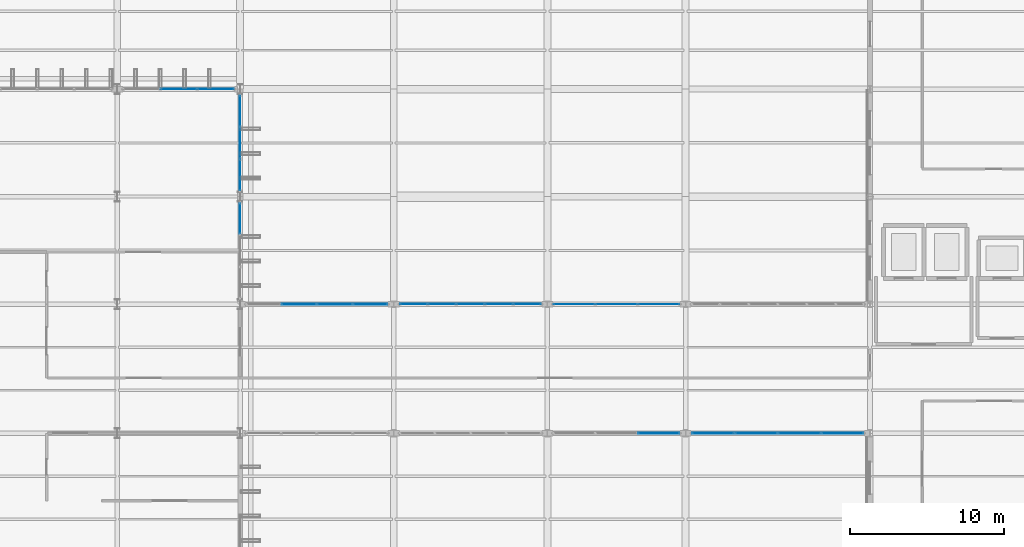
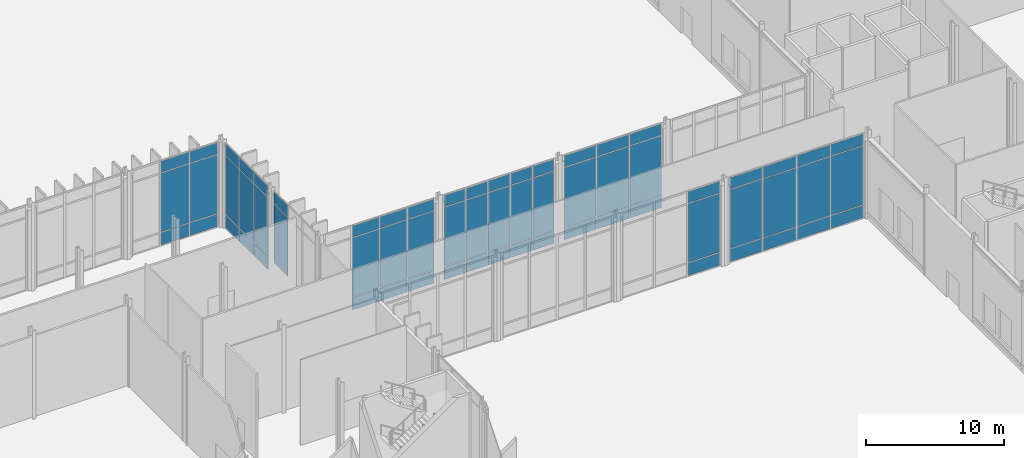
# One storey, part 124 of 176: 65 plates, 8 elements without a shape of their own.
"""IFC4 building model written with IfcOpenShell, lengths in metres."""

from ifc_helpers import new_model, si_unit, direction, frame, origin, origin_2d, place, context, subcontext, project, spatial, rectangle, extrude, material, layer, layer_set, type_object, element, aggregate, save


model = new_model("IFC4")

# Units and contexts
model_context = context("Model", 3, precision=1e-05, world=origin(), true_north=direction((0.0, 1.0)))
body_context = subcontext(model_context, "Body", "Model", "MODEL_VIEW")
ifc_project = project(units=[si_unit("LENGTHUNIT", "METRE"), si_unit("AREAUNIT", "SQUARE_METRE"), si_unit("VOLUMEUNIT", "CUBIC_METRE"), si_unit("PLANEANGLEUNIT", "RADIAN"), si_unit("MASSUNIT", "GRAM", prefix="KILO")], contexts=[model_context])

# Site, building, storey
site_placement = place(None, origin())
site = spatial("IfcSite", under=ifc_project, at=site_placement, CompositionType="ELEMENT")
building_placement = place(site_placement, origin())
building = spatial("IfcBuilding", under=site, at=building_placement, Name="Vekula Escarpment Museum", CompositionType="ELEMENT")
storey_placement = place(building_placement, origin())
storey = spatial("IfcBuildingStorey", under=building, at=storey_placement, Name="L01", CompositionType="ELEMENT", Elevation=0.0)

# Curtain wall, plates
ifc_material_1 = material(Name="Aluminium thermally broken framing", Category="aluminium")
ifc_layer_1 = layer(ifc_material_1, 0.169921875)
ifc_layer_set_1 = layer_set([ifc_layer_1], Name="Aluminium thermally broken framing")
curtain_wall_type_1 = type_object("IfcCurtainWallType", Name="CW-SYS-10", PredefinedType="NOTDEFINED", material=ifc_layer_set_1)
curtain_wall_1_placement = place(storey_placement, origin())
curtain_wall_1 = element("IfcCurtainWall", 1, at=curtain_wall_1_placement, inside=storey, type_object=curtain_wall_type_1, Name="Curtain Wall CW-L01-020", PredefinedType="NOTDEFINED")
ifc_material_2 = material(Name="Double solar-control low-E glass", Category="glass")
ifc_layer_2 = layer(ifc_material_2, 0.028076171875)
ifc_layer_set_2 = layer_set([ifc_layer_2], Name="Double solar-control low-E glass")
plate_type_1 = type_object("IfcPlateType", Name="CW-PNL-28", PredefinedType="CURTAIN_PANEL", material=ifc_layer_set_2)
plate_1_placement = place(storey_placement, frame((153.24365234375, 76.39990234375, 0.06494140625), z_axis=(0.0, 0.0, 1.0), x_axis=(-1.0, 0.0, 0.0)))
plate_1 = element("IfcPlate", 2, at=plate_1_placement, type_object=plate_type_1, Name="CW-10 panel 1.1", PredefinedType="CURTAIN_PANEL", context=body_context, shape_type="SweptSolid", body=[
    extrude(rectangle(XDim=2.66259765625, YDim=0.028076171875, at=origin_2d()), origin(), (0.0, 0.0, 1.0), 1.1025390625),
])
plate_2_placement = place(storey_placement, frame((153.24365234375, 76.39990234375, 1.232421875), z_axis=(0.0, 0.0, 1.0), x_axis=(-1.0, 0.0, 0.0)))
plate_2 = element("IfcPlate", 3, at=plate_2_placement, type_object=plate_type_1, Name="CW-10 panel 1.2", PredefinedType="CURTAIN_PANEL", context=body_context, shape_type="SweptSolid", body=[
    extrude(rectangle(XDim=2.66259765625, YDim=0.028076171875, at=origin_2d()), origin(), (0.0, 0.0, 1.0), 5.175048828125),
])
plate_3_placement = place(storey_placement, frame((153.24365234375, 76.39990234375, 6.472412109375), z_axis=(0.0, 0.0, 1.0), x_axis=(-1.0, 0.0, 0.0)))
plate_3 = element("IfcPlate", 4, at=plate_3_placement, type_object=plate_type_1, Name="CW-10 panel 1.3", PredefinedType="CURTAIN_PANEL", context=body_context, shape_type="SweptSolid", body=[
    extrude(rectangle(XDim=2.66259765625, YDim=0.028076171875, at=origin_2d()), origin(), (0.0, 0.0, 1.0), 1.00244140625),
])
plate_4_placement = place(storey_placement, frame((150.5, 76.39990234375, 0.06494140625), z_axis=(0.0, 0.0, 1.0), x_axis=(-1.0, 0.0, 0.0)))
plate_4 = element("IfcPlate", 5, at=plate_4_placement, type_object=plate_type_1, Name="CW-10 panel 2.1", PredefinedType="CURTAIN_PANEL", context=body_context, shape_type="SweptSolid", body=[
    extrude(rectangle(XDim=2.695068359375, YDim=0.028076171875, at=origin_2d()), origin(), (0.0, 0.0, 1.0), 1.1025390625),
])
plate_5_placement = place(storey_placement, frame((150.5, 76.39990234375, 1.232421875), z_axis=(0.0, 0.0, 1.0), x_axis=(-1.0, 0.0, 0.0)))
plate_5 = element("IfcPlate", 6, at=plate_5_placement, type_object=plate_type_1, Name="CW-10 panel 2.2", PredefinedType="CURTAIN_PANEL", context=body_context, shape_type="SweptSolid", body=[
    extrude(rectangle(XDim=2.695068359375, YDim=0.028076171875, at=origin_2d()), origin(), (0.0, 0.0, 1.0), 5.175048828125),
])
plate_6_placement = place(storey_placement, frame((150.5, 76.39990234375, 6.472412109375), z_axis=(0.0, 0.0, 1.0), x_axis=(-1.0, 0.0, 0.0)))
plate_6 = element("IfcPlate", 7, at=plate_6_placement, type_object=plate_type_1, Name="CW-10 panel 2.3", PredefinedType="CURTAIN_PANEL", context=body_context, shape_type="SweptSolid", body=[
    extrude(rectangle(XDim=2.695068359375, YDim=0.028076171875, at=origin_2d()), origin(), (0.0, 0.0, 1.0), 1.00244140625),
])
plate_7_placement = place(storey_placement, frame((147.75634765625, 76.39990234375, 0.06494140625), z_axis=(0.0, 0.0, 1.0), x_axis=(-1.0, 0.0, 0.0)))
plate_7 = element("IfcPlate", 8, at=plate_7_placement, type_object=plate_type_1, Name="CW-10 panel 3.1", PredefinedType="CURTAIN_PANEL", context=body_context, shape_type="SweptSolid", body=[
    extrude(rectangle(XDim=2.66259765625, YDim=0.028076171875, at=origin_2d()), origin(), (0.0, 0.0, 1.0), 1.1025390625),
])
plate_8_placement = place(storey_placement, frame((147.75634765625, 76.39990234375, 1.232421875), z_axis=(0.0, 0.0, 1.0), x_axis=(-1.0, 0.0, 0.0)))
plate_8 = element("IfcPlate", 9, at=plate_8_placement, type_object=plate_type_1, Name="CW-10 panel 3.2", PredefinedType="CURTAIN_PANEL", context=body_context, shape_type="SweptSolid", body=[
    extrude(rectangle(XDim=2.66259765625, YDim=0.028076171875, at=origin_2d()), origin(), (0.0, 0.0, 1.0), 5.175048828125),
])
plate_9_placement = place(storey_placement, frame((147.75634765625, 76.39990234375, 6.472412109375), z_axis=(0.0, 0.0, 1.0), x_axis=(-1.0, 0.0, 0.0)))
plate_9 = element("IfcPlate", 10, at=plate_9_placement, type_object=plate_type_1, Name="CW-10 panel 3.3", PredefinedType="CURTAIN_PANEL", context=body_context, shape_type="SweptSolid", body=[
    extrude(rectangle(XDim=2.66259765625, YDim=0.028076171875, at=origin_2d()), origin(), (0.0, 0.0, 1.0), 1.00244140625),
])
aggregate(curtain_wall_1, [plate_1, plate_2, plate_3, plate_4, plate_5, plate_6, plate_7, plate_8, plate_9])

ifc_material_3 = material(Name="Aluminium thermally broken framing", Category="aluminium")
ifc_layer_3 = layer(ifc_material_3, 0.199951171875)
ifc_layer_set_3 = layer_set([ifc_layer_3], Name="Aluminium thermally broken framing")
curtain_wall_type_2 = type_object("IfcCurtainWallType", Name="CW-SYS-04", PredefinedType="NOTDEFINED", material=ifc_layer_set_3)
curtain_wall_2_placement = place(storey_placement, origin())
curtain_wall_2 = element("IfcCurtainWall", 11, at=curtain_wall_2_placement, inside=storey, type_object=curtain_wall_type_2, Name="Curtain Wall CW-L01-024", PredefinedType="NOTDEFINED")
plate_10_placement = place(storey_placement, frame((126.0, 84.822998046875, 0.06494140625), z_axis=(0.0, 0.0, 1.0), x_axis=(0.0, 1.0, 0.0)))
plate_10 = element("IfcPlate", 12, at=plate_10_placement, type_object=plate_type_1, Name="CW-04 panel 1.1", PredefinedType="CURTAIN_PANEL", context=body_context, shape_type="SweptSolid", body=[
    extrude(rectangle(XDim=1.995849609375, YDim=0.028076171875, at=origin_2d()), origin(), (0.0, 0.0, 1.0), 1.1025390625),
])
plate_11_placement = place(storey_placement, frame((126.0, 84.822998046875, 1.232421875), z_axis=(0.0, 0.0, 1.0), x_axis=(0.0, 1.0, 0.0)))
plate_11 = element("IfcPlate", 13, at=plate_11_placement, type_object=plate_type_1, Name="CW-04 panel 1.2", PredefinedType="CURTAIN_PANEL", context=body_context, shape_type="SweptSolid", body=[
    extrude(rectangle(XDim=1.995849609375, YDim=0.028076171875, at=origin_2d()), origin(), (0.0, 0.0, 1.0), 5.175048828125),
])
plate_12_placement = place(storey_placement, frame((126.0, 84.822998046875, 6.472412109375), z_axis=(0.0, 0.0, 1.0), x_axis=(0.0, 1.0, 0.0)))
plate_12 = element("IfcPlate", 14, at=plate_12_placement, type_object=plate_type_1, Name="CW-04 panel 1.3", PredefinedType="CURTAIN_PANEL", context=body_context, shape_type="SweptSolid", body=[
    extrude(rectangle(XDim=1.995849609375, YDim=0.028076171875, at=origin_2d()), origin(), (0.0, 0.0, 1.0), 1.00244140625),
])
plate_13_placement = place(storey_placement, frame((126.0, 86.89990234375, 0.06494140625), z_axis=(0.0, 0.0, 1.0), x_axis=(0.0, 1.0, 0.0)))
plate_13 = element("IfcPlate", 15, at=plate_13_placement, type_object=plate_type_1, Name="CW-04 panel 2.1", PredefinedType="CURTAIN_PANEL", context=body_context, shape_type="SweptSolid", body=[
    extrude(rectangle(XDim=2.0283203125, YDim=0.028076171875, at=origin_2d()), origin(), (0.0, 0.0, 1.0), 1.1025390625),
])
plate_14_placement = place(storey_placement, frame((126.0, 86.89990234375, 1.232421875), z_axis=(0.0, 0.0, 1.0), x_axis=(0.0, 1.0, 0.0)))
plate_14 = element("IfcPlate", 16, at=plate_14_placement, type_object=plate_type_1, Name="CW-04 panel 2.2", PredefinedType="CURTAIN_PANEL", context=body_context, shape_type="SweptSolid", body=[
    extrude(rectangle(XDim=2.0283203125, YDim=0.028076171875, at=origin_2d()), origin(), (0.0, 0.0, 1.0), 5.175048828125),
])
plate_15_placement = place(storey_placement, frame((126.0, 86.89990234375, 6.472412109375), z_axis=(0.0, 0.0, 1.0), x_axis=(0.0, 1.0, 0.0)))
plate_15 = element("IfcPlate", 17, at=plate_15_placement, type_object=plate_type_1, Name="CW-04 panel 2.3", PredefinedType="CURTAIN_PANEL", context=body_context, shape_type="SweptSolid", body=[
    extrude(rectangle(XDim=2.0283203125, YDim=0.028076171875, at=origin_2d()), origin(), (0.0, 0.0, 1.0), 1.00244140625),
])
plate_16_placement = place(storey_placement, frame((126.0, 88.97705078125, 0.06494140625), z_axis=(0.0, 0.0, 1.0), x_axis=(0.0, 1.0, 0.0)))
plate_16 = element("IfcPlate", 18, at=plate_16_placement, type_object=plate_type_1, Name="CW-04 panel 3.1", PredefinedType="CURTAIN_PANEL", context=body_context, shape_type="SweptSolid", body=[
    extrude(rectangle(XDim=1.995849609375, YDim=0.028076171875, at=origin_2d()), origin(), (0.0, 0.0, 1.0), 1.1025390625),
])
plate_17_placement = place(storey_placement, frame((126.0, 88.97705078125, 1.232421875), z_axis=(0.0, 0.0, 1.0), x_axis=(0.0, 1.0, 0.0)))
plate_17 = element("IfcPlate", 19, at=plate_17_placement, type_object=plate_type_1, Name="CW-04 panel 3.2", PredefinedType="CURTAIN_PANEL", context=body_context, shape_type="SweptSolid", body=[
    extrude(rectangle(XDim=1.995849609375, YDim=0.028076171875, at=origin_2d()), origin(), (0.0, 0.0, 1.0), 5.175048828125),
])
plate_18_placement = place(storey_placement, frame((126.0, 88.97705078125, 6.472412109375), z_axis=(0.0, 0.0, 1.0), x_axis=(0.0, 1.0, 0.0)))
plate_18 = element("IfcPlate", 20, at=plate_18_placement, type_object=plate_type_1, Name="CW-04 panel 3.3", PredefinedType="CURTAIN_PANEL", context=body_context, shape_type="SweptSolid", body=[
    extrude(rectangle(XDim=1.995849609375, YDim=0.028076171875, at=origin_2d()), origin(), (0.0, 0.0, 1.0), 1.00244140625),
])
aggregate(curtain_wall_2, [plate_10, plate_11, plate_12, plate_13, plate_14, plate_15, plate_16, plate_17, plate_18])

ifc_material_4 = material(Name="Aluminium thermally broken framing", Category="aluminium")
ifc_layer_4 = layer(ifc_material_4, 0.159912109375)
ifc_layer_set_4 = layer_set([ifc_layer_4], Name="Aluminium thermally broken framing")
curtain_wall_type_3 = type_object("IfcCurtainWallType", Name="CW-SYS-01", PredefinedType="NOTDEFINED", material=ifc_layer_set_4)
curtain_wall_3_placement = place(storey_placement, origin())
curtain_wall_3 = element("IfcCurtainWall", 21, at=curtain_wall_3_placement, inside=storey, type_object=curtain_wall_type_3, Name="Curtain Wall CW-L01-021", PredefinedType="NOTDEFINED")
ifc_material_5 = material(Name="Acoustic laminated double low-E glass", Category="glass")
ifc_layer_5 = layer(ifc_material_5, 0.031982421875)
ifc_layer_set_5 = layer_set([ifc_layer_5], Name="Acoustic laminated double low-E glass")
plate_type_2 = type_object("IfcPlateType", Name="CW-PNL-32", PredefinedType="CURTAIN_PANEL", material=ifc_layer_set_5)
plate_19_placement = place(storey_placement, frame((144.69580078125, 76.39990234375, 0.06494140625), z_axis=(0.0, 0.0, 1.0), x_axis=(-1.0, 0.0, 0.0)))
plate_19 = element("IfcPlate", 22, at=plate_19_placement, type_object=plate_type_2, Name="CW-01 panel 1.1", PredefinedType="CURTAIN_PANEL", context=body_context, shape_type="SweptSolid", body=[
    extrude(rectangle(XDim=1.758544921875, YDim=0.031982421875, at=origin_2d()), origin(), (0.0, 0.0, 1.0), 1.1025390625),
])
plate_20_placement = place(storey_placement, frame((144.69580078125, 76.39990234375, 1.232421875), z_axis=(0.0, 0.0, 1.0), x_axis=(-1.0, 0.0, 0.0)))
plate_20 = element("IfcPlate", 23, at=plate_20_placement, type_object=plate_type_2, Name="CW-01 panel 1.2", PredefinedType="CURTAIN_PANEL", context=body_context, shape_type="SweptSolid", body=[
    extrude(rectangle(XDim=1.758544921875, YDim=0.031982421875, at=origin_2d()), origin(), (0.0, 0.0, 1.0), 5.175048828125),
])
plate_21_placement = place(storey_placement, frame((144.69580078125, 76.39990234375, 6.472412109375), z_axis=(0.0, 0.0, 1.0), x_axis=(-1.0, 0.0, 0.0)))
plate_21 = element("IfcPlate", 24, at=plate_21_placement, type_object=plate_type_2, Name="CW-01 panel 1.3", PredefinedType="CURTAIN_PANEL", context=body_context, shape_type="SweptSolid", body=[
    extrude(rectangle(XDim=1.758544921875, YDim=0.031982421875, at=origin_2d()), origin(), (0.0, 0.0, 1.0), 1.00244140625),
])
plate_22_placement = place(storey_placement, frame((142.85595703125, 76.39990234375, 0.06494140625), z_axis=(0.0, 0.0, 1.0), x_axis=(-1.0, 0.0, 0.0)))
plate_22 = element("IfcPlate", 25, at=plate_22_placement, type_object=plate_type_2, Name="CW-01 panel 2.1", PredefinedType="CURTAIN_PANEL", context=body_context, shape_type="SweptSolid", body=[
    extrude(rectangle(XDim=1.791015625, YDim=0.031982421875, at=origin_2d()), origin(), (0.0, 0.0, 1.0), 1.1025390625),
])
plate_23_placement = place(storey_placement, frame((142.85595703125, 76.39990234375, 1.232421875), z_axis=(0.0, 0.0, 1.0), x_axis=(-1.0, 0.0, 0.0)))
plate_23 = element("IfcPlate", 26, at=plate_23_placement, type_object=plate_type_2, Name="CW-01 panel 2.2", PredefinedType="CURTAIN_PANEL", context=body_context, shape_type="SweptSolid", body=[
    extrude(rectangle(XDim=1.791015625, YDim=0.031982421875, at=origin_2d()), origin(), (0.0, 0.0, 1.0), 5.175048828125),
])
plate_24_placement = place(storey_placement, frame((142.85595703125, 76.39990234375, 6.472412109375), z_axis=(0.0, 0.0, 1.0), x_axis=(-1.0, 0.0, 0.0)))
plate_24 = element("IfcPlate", 27, at=plate_24_placement, type_object=plate_type_2, Name="CW-01 panel 2.3", PredefinedType="CURTAIN_PANEL", context=body_context, shape_type="SweptSolid", body=[
    extrude(rectangle(XDim=1.791015625, YDim=0.031982421875, at=origin_2d()), origin(), (0.0, 0.0, 1.0), 1.00244140625),
])
plate_25_placement = place(storey_placement, frame((141.0, 76.39990234375, 0.06494140625), z_axis=(0.0, 0.0, 1.0), x_axis=(-1.0, 0.0, 0.0)))
plate_25 = element("IfcPlate", 28, at=plate_25_placement, type_object=plate_type_2, Name="CW-01 panel 3.1", PredefinedType="CURTAIN_PANEL", context=body_context, shape_type="SweptSolid", body=[
    extrude(rectangle(XDim=1.791015625, YDim=0.031982421875, at=origin_2d()), origin(), (0.0, 0.0, 1.0), 1.1025390625),
])
plate_26_placement = place(storey_placement, frame((141.0, 76.39990234375, 1.232421875), z_axis=(0.0, 0.0, 1.0), x_axis=(-1.0, 0.0, 0.0)))
plate_26 = element("IfcPlate", 29, at=plate_26_placement, type_object=plate_type_2, Name="CW-01 panel 3.2", PredefinedType="CURTAIN_PANEL", context=body_context, shape_type="SweptSolid", body=[
    extrude(rectangle(XDim=1.791015625, YDim=0.031982421875, at=origin_2d()), origin(), (0.0, 0.0, 1.0), 5.175048828125),
])
plate_27_placement = place(storey_placement, frame((141.0, 76.39990234375, 6.472412109375), z_axis=(0.0, 0.0, 1.0), x_axis=(-1.0, 0.0, 0.0)))
plate_27 = element("IfcPlate", 30, at=plate_27_placement, type_object=plate_type_2, Name="CW-01 panel 3.3", PredefinedType="CURTAIN_PANEL", context=body_context, shape_type="SweptSolid", body=[
    extrude(rectangle(XDim=1.791015625, YDim=0.031982421875, at=origin_2d()), origin(), (0.0, 0.0, 1.0), 1.00244140625),
])
plate_28_placement = place(storey_placement, frame((139.14404296875, 76.39990234375, 0.06494140625), z_axis=(0.0, 0.0, 1.0), x_axis=(-1.0, 0.0, 0.0)))
plate_28 = element("IfcPlate", 31, at=plate_28_placement, type_object=plate_type_2, Name="CW-01 panel 4.1", PredefinedType="CURTAIN_PANEL", context=body_context, shape_type="SweptSolid", body=[
    extrude(rectangle(XDim=1.791015625, YDim=0.031982421875, at=origin_2d()), origin(), (0.0, 0.0, 1.0), 1.1025390625),
])
plate_29_placement = place(storey_placement, frame((139.14404296875, 76.39990234375, 1.232421875), z_axis=(0.0, 0.0, 1.0), x_axis=(-1.0, 0.0, 0.0)))
plate_29 = element("IfcPlate", 32, at=plate_29_placement, type_object=plate_type_2, Name="CW-01 panel 4.2", PredefinedType="CURTAIN_PANEL", context=body_context, shape_type="SweptSolid", body=[
    extrude(rectangle(XDim=1.791015625, YDim=0.031982421875, at=origin_2d()), origin(), (0.0, 0.0, 1.0), 5.175048828125),
])
plate_30_placement = place(storey_placement, frame((139.14404296875, 76.39990234375, 6.472412109375), z_axis=(0.0, 0.0, 1.0), x_axis=(-1.0, 0.0, 0.0)))
plate_30 = element("IfcPlate", 33, at=plate_30_placement, type_object=plate_type_2, Name="CW-01 panel 4.3", PredefinedType="CURTAIN_PANEL", context=body_context, shape_type="SweptSolid", body=[
    extrude(rectangle(XDim=1.791015625, YDim=0.031982421875, at=origin_2d()), origin(), (0.0, 0.0, 1.0), 1.00244140625),
])
plate_31_placement = place(storey_placement, frame((137.30419921875, 76.39990234375, 0.06494140625), z_axis=(0.0, 0.0, 1.0), x_axis=(-1.0, 0.0, 0.0)))
plate_31 = element("IfcPlate", 34, at=plate_31_placement, type_object=plate_type_2, Name="CW-01 panel 5.1", PredefinedType="CURTAIN_PANEL", context=body_context, shape_type="SweptSolid", body=[
    extrude(rectangle(XDim=1.758544921875, YDim=0.031982421875, at=origin_2d()), origin(), (0.0, 0.0, 1.0), 1.1025390625),
])
plate_32_placement = place(storey_placement, frame((137.30419921875, 76.39990234375, 1.232421875), z_axis=(0.0, 0.0, 1.0), x_axis=(-1.0, 0.0, 0.0)))
plate_32 = element("IfcPlate", 35, at=plate_32_placement, type_object=plate_type_2, Name="CW-01 panel 5.2", PredefinedType="CURTAIN_PANEL", context=body_context, shape_type="SweptSolid", body=[
    extrude(rectangle(XDim=1.758544921875, YDim=0.031982421875, at=origin_2d()), origin(), (0.0, 0.0, 1.0), 5.175048828125),
])
plate_33_placement = place(storey_placement, frame((137.30419921875, 76.39990234375, 6.472412109375), z_axis=(0.0, 0.0, 1.0), x_axis=(-1.0, 0.0, 0.0)))
plate_33 = element("IfcPlate", 36, at=plate_33_placement, type_object=plate_type_2, Name="CW-01 panel 5.3", PredefinedType="CURTAIN_PANEL", context=body_context, shape_type="SweptSolid", body=[
    extrude(rectangle(XDim=1.758544921875, YDim=0.031982421875, at=origin_2d()), origin(), (0.0, 0.0, 1.0), 1.00244140625),
])
aggregate(curtain_wall_3, [plate_19, plate_20, plate_21, plate_22, plate_23, plate_24, plate_25, plate_26, plate_27, plate_28, plate_29, plate_30, plate_31, plate_32, plate_33])

ifc_material_6 = material(Name="Aluminium thermally broken framing", Category="aluminium")
ifc_layer_6 = layer(ifc_material_6, 0.159912109375)
ifc_layer_set_6 = layer_set([ifc_layer_6], Name="Aluminium thermally broken framing")
curtain_wall_type_4 = type_object("IfcCurtainWallType", Name="CW-SYS-05", PredefinedType="NOTDEFINED", material=ifc_layer_set_6)
curtain_wall_4_placement = place(storey_placement, origin())
curtain_wall_4 = element("IfcCurtainWall", 37, at=curtain_wall_4_placement, inside=storey, type_object=curtain_wall_type_4, Name="Curtain Wall CW-L01-025", PredefinedType="NOTDEFINED")
plate_34_placement = place(storey_placement, frame((124.410400390625, 90.39990234375, 0.06494140625), z_axis=(0.0, 0.0, 1.0), x_axis=(-1.0, 0.0, 0.0)))
plate_34 = element("IfcPlate", 38, at=plate_34_placement, type_object=plate_type_2, Name="CW-05 panel 1.1", PredefinedType="CURTAIN_PANEL", context=body_context, shape_type="SweptSolid", body=[
    extrude(rectangle(XDim=2.3291015625, YDim=0.031982421875, at=origin_2d()), origin(), (0.0, 0.0, 1.0), 1.1025390625),
])
plate_35_placement = place(storey_placement, frame((124.410400390625, 90.39990234375, 1.232421875), z_axis=(0.0, 0.0, 1.0), x_axis=(-1.0, 0.0, 0.0)))
plate_35 = element("IfcPlate", 39, at=plate_35_placement, type_object=plate_type_2, Name="CW-05 panel 1.2", PredefinedType="CURTAIN_PANEL", context=body_context, shape_type="SweptSolid", body=[
    extrude(rectangle(XDim=2.3291015625, YDim=0.031982421875, at=origin_2d()), origin(), (0.0, 0.0, 1.0), 5.175048828125),
])
plate_36_placement = place(storey_placement, frame((124.410400390625, 90.39990234375, 6.472412109375), z_axis=(0.0, 0.0, 1.0), x_axis=(-1.0, 0.0, 0.0)))
plate_36 = element("IfcPlate", 40, at=plate_36_placement, type_object=plate_type_2, Name="CW-05 panel 1.3", PredefinedType="CURTAIN_PANEL", context=body_context, shape_type="SweptSolid", body=[
    extrude(rectangle(XDim=2.3291015625, YDim=0.031982421875, at=origin_2d()), origin(), (0.0, 0.0, 1.0), 1.00244140625),
])
plate_37_placement = place(storey_placement, frame((122.0, 90.39990234375, 0.06494140625), z_axis=(0.0, 0.0, 1.0), x_axis=(-1.0, 0.0, 0.0)))
plate_37 = element("IfcPlate", 41, at=plate_37_placement, type_object=plate_type_2, Name="CW-05 panel 2.1", PredefinedType="CURTAIN_PANEL", context=body_context, shape_type="SweptSolid", body=[
    extrude(rectangle(XDim=2.361572265625, YDim=0.031982421875, at=origin_2d()), origin(), (0.0, 0.0, 1.0), 1.1025390625),
])
plate_38_placement = place(storey_placement, frame((122.0, 90.39990234375, 1.232421875), z_axis=(0.0, 0.0, 1.0), x_axis=(-1.0, 0.0, 0.0)))
plate_38 = element("IfcPlate", 42, at=plate_38_placement, type_object=plate_type_2, Name="CW-05 panel 2.2", PredefinedType="CURTAIN_PANEL", context=body_context, shape_type="SweptSolid", body=[
    extrude(rectangle(XDim=2.361572265625, YDim=0.031982421875, at=origin_2d()), origin(), (0.0, 0.0, 1.0), 5.175048828125),
])
plate_39_placement = place(storey_placement, frame((122.0, 90.39990234375, 6.472412109375), z_axis=(0.0, 0.0, 1.0), x_axis=(-1.0, 0.0, 0.0)))
plate_39 = element("IfcPlate", 43, at=plate_39_placement, type_object=plate_type_2, Name="CW-05 panel 2.3", PredefinedType="CURTAIN_PANEL", context=body_context, shape_type="SweptSolid", body=[
    extrude(rectangle(XDim=2.361572265625, YDim=0.031982421875, at=origin_2d()), origin(), (0.0, 0.0, 1.0), 1.00244140625),
])
aggregate(curtain_wall_4, [plate_34, plate_35, plate_36, plate_37, plate_38, plate_39])

curtain_wall_5_placement = place(storey_placement, origin())
curtain_wall_5 = element("IfcCurtainWall", 44, at=curtain_wall_5_placement, inside=storey, type_object=curtain_wall_type_2, Name="Curtain Wall CW-L01-014", PredefinedType="NOTDEFINED")
ifc_material_7 = material(Name="Triple UV-filtered museum gallery glass", Category="glass")
ifc_layer_7 = layer(ifc_material_7, 0.035888671875)
ifc_layer_set_7 = layer_set([ifc_layer_7], Name="Triple UV-filtered museum gallery glass")
plate_type_3 = type_object("IfcPlateType", Name="CW-PNL-36", PredefinedType="CURTAIN_PANEL", material=ifc_layer_set_7)
plate_40_placement = place(storey_placement, frame((153.24365234375, 68.0, 0.06494140625), z_axis=(0.0, 0.0, 1.0), x_axis=(1.0, 0.0, 0.0)))
plate_40 = element("IfcPlate", 45, at=plate_40_placement, type_object=plate_type_3, Name="CW-04 panel 3.1", PredefinedType="CURTAIN_PANEL", context=body_context, shape_type="SweptSolid", body=[
    extrude(rectangle(XDim=2.66259765625, YDim=0.035888671875, at=origin_2d()), origin(), (0.0, 0.0, 1.0), 1.1025390625),
])
plate_41_placement = place(storey_placement, frame((153.24365234375, 68.0, 1.232421875), z_axis=(0.0, 0.0, 1.0), x_axis=(1.0, 0.0, 0.0)))
plate_41 = element("IfcPlate", 46, at=plate_41_placement, type_object=plate_type_3, Name="CW-04 panel 3.2", PredefinedType="CURTAIN_PANEL", context=body_context, shape_type="SweptSolid", body=[
    extrude(rectangle(XDim=2.66259765625, YDim=0.035888671875, at=origin_2d()), origin(), (0.0, 0.0, 1.0), 5.175048828125),
])
plate_42_placement = place(storey_placement, frame((153.24365234375, 68.0, 6.472412109375), z_axis=(0.0, 0.0, 1.0), x_axis=(1.0, 0.0, 0.0)))
plate_42 = element("IfcPlate", 47, at=plate_42_placement, type_object=plate_type_3, Name="CW-04 panel 3.3", PredefinedType="CURTAIN_PANEL", context=body_context, shape_type="SweptSolid", body=[
    extrude(rectangle(XDim=2.66259765625, YDim=0.035888671875, at=origin_2d()), origin(), (0.0, 0.0, 1.0), 1.00244140625),
])
aggregate(curtain_wall_5, [plate_40, plate_41, plate_42])

ifc_material_8 = material(Name="Aluminium thermally broken framing", Category="aluminium")
ifc_layer_8 = layer(ifc_material_8, 0.159912109375)
ifc_layer_set_8 = layer_set([ifc_layer_8], Name="Aluminium thermally broken framing")
curtain_wall_type_5 = type_object("IfcCurtainWallType", Name="CW-SYS-02", PredefinedType="NOTDEFINED", material=ifc_layer_set_8)
curtain_wall_6_placement = place(storey_placement, origin())
curtain_wall_6 = element("IfcCurtainWall", 48, at=curtain_wall_6_placement, inside=storey, type_object=curtain_wall_type_5, Name="Curtain Wall CW-L01-022", PredefinedType="NOTDEFINED")
plate_43_placement = place(storey_placement, frame((134.4638671875, 76.39990234375, 0.06494140625), z_axis=(0.0, 0.0, 1.0), x_axis=(-1.0, 0.0, 0.0)))
plate_43 = element("IfcPlate", 49, at=plate_43_placement, type_object=plate_type_3, Name="CW-02 panel 1.1", PredefinedType="CURTAIN_PANEL", context=body_context, shape_type="SweptSolid", body=[
    extrude(rectangle(XDim=2.222412109375, YDim=0.035888671875, at=origin_2d()), origin(), (0.0, 0.0, 1.0), 1.1025390625),
])
plate_44_placement = place(storey_placement, frame((134.4638671875, 76.39990234375, 1.232421875), z_axis=(0.0, 0.0, 1.0), x_axis=(-1.0, 0.0, 0.0)))
plate_44 = element("IfcPlate", 50, at=plate_44_placement, type_object=plate_type_3, Name="CW-02 panel 1.2", PredefinedType="CURTAIN_PANEL", context=body_context, shape_type="SweptSolid", body=[
    extrude(rectangle(XDim=2.222412109375, YDim=0.035888671875, at=origin_2d()), origin(), (0.0, 0.0, 1.0), 5.175048828125),
])
plate_45_placement = place(storey_placement, frame((134.4638671875, 76.39990234375, 6.472412109375), z_axis=(0.0, 0.0, 1.0), x_axis=(-1.0, 0.0, 0.0)))
plate_45 = element("IfcPlate", 51, at=plate_45_placement, type_object=plate_type_3, Name="CW-02 panel 1.3", PredefinedType="CURTAIN_PANEL", context=body_context, shape_type="SweptSolid", body=[
    extrude(rectangle(XDim=2.222412109375, YDim=0.035888671875, at=origin_2d()), origin(), (0.0, 0.0, 1.0), 1.00244140625),
])
plate_46_placement = place(storey_placement, frame((132.159912109375, 76.39990234375, 0.06494140625), z_axis=(0.0, 0.0, 1.0), x_axis=(-1.0, 0.0, 0.0)))
plate_46 = element("IfcPlate", 52, at=plate_46_placement, type_object=plate_type_3, Name="CW-02 panel 2.1", PredefinedType="CURTAIN_PANEL", context=body_context, shape_type="SweptSolid", body=[
    extrude(rectangle(XDim=2.2548828125, YDim=0.035888671875, at=origin_2d()), origin(), (0.0, 0.0, 1.0), 1.1025390625),
])
plate_47_placement = place(storey_placement, frame((132.159912109375, 76.39990234375, 1.232421875), z_axis=(0.0, 0.0, 1.0), x_axis=(-1.0, 0.0, 0.0)))
plate_47 = element("IfcPlate", 53, at=plate_47_placement, type_object=plate_type_3, Name="CW-02 panel 2.2", PredefinedType="CURTAIN_PANEL", context=body_context, shape_type="SweptSolid", body=[
    extrude(rectangle(XDim=2.2548828125, YDim=0.035888671875, at=origin_2d()), origin(), (0.0, 0.0, 1.0), 5.175048828125),
])
plate_48_placement = place(storey_placement, frame((132.159912109375, 76.39990234375, 6.472412109375), z_axis=(0.0, 0.0, 1.0), x_axis=(-1.0, 0.0, 0.0)))
plate_48 = element("IfcPlate", 54, at=plate_48_placement, type_object=plate_type_3, Name="CW-02 panel 2.3", PredefinedType="CURTAIN_PANEL", context=body_context, shape_type="SweptSolid", body=[
    extrude(rectangle(XDim=2.2548828125, YDim=0.035888671875, at=origin_2d()), origin(), (0.0, 0.0, 1.0), 1.00244140625),
])
plate_49_placement = place(storey_placement, frame((129.840087890625, 76.39990234375, 0.06494140625), z_axis=(0.0, 0.0, 1.0), x_axis=(-1.0, 0.0, 0.0)))
plate_49 = element("IfcPlate", 55, at=plate_49_placement, type_object=plate_type_3, Name="CW-02 panel 3.1", PredefinedType="CURTAIN_PANEL", context=body_context, shape_type="SweptSolid", body=[
    extrude(rectangle(XDim=2.2548828125, YDim=0.035888671875, at=origin_2d()), origin(), (0.0, 0.0, 1.0), 1.1025390625),
])
plate_50_placement = place(storey_placement, frame((129.840087890625, 76.39990234375, 1.232421875), z_axis=(0.0, 0.0, 1.0), x_axis=(-1.0, 0.0, 0.0)))
plate_50 = element("IfcPlate", 56, at=plate_50_placement, type_object=plate_type_3, Name="CW-02 panel 3.2", PredefinedType="CURTAIN_PANEL", context=body_context, shape_type="SweptSolid", body=[
    extrude(rectangle(XDim=2.2548828125, YDim=0.035888671875, at=origin_2d()), origin(), (0.0, 0.0, 1.0), 5.175048828125),
])
plate_51_placement = place(storey_placement, frame((129.840087890625, 76.39990234375, 6.472412109375), z_axis=(0.0, 0.0, 1.0), x_axis=(-1.0, 0.0, 0.0)))
plate_51 = element("IfcPlate", 57, at=plate_51_placement, type_object=plate_type_3, Name="CW-02 panel 3.3", PredefinedType="CURTAIN_PANEL", context=body_context, shape_type="SweptSolid", body=[
    extrude(rectangle(XDim=2.2548828125, YDim=0.035888671875, at=origin_2d()), origin(), (0.0, 0.0, 1.0), 1.00244140625),
])
aggregate(curtain_wall_6, [plate_43, plate_44, plate_45, plate_46, plate_47, plate_48, plate_49, plate_50, plate_51])

curtain_wall_7_placement = place(storey_placement, origin())
curtain_wall_7 = element("IfcCurtainWall", 58, at=curtain_wall_7_placement, inside=storey, type_object=curtain_wall_type_4, Name="Curtain Wall CW-L01-015", PredefinedType="NOTDEFINED")
ifc_material_9 = material(Name="Insulated bronze spandrel glass panel", Category="glass")
ifc_layer_9 = layer(ifc_material_9, 0.0400390625)
ifc_layer_set_9 = layer_set([ifc_layer_9], Name="Insulated bronze spandrel glass panel")
plate_type_4 = type_object("IfcPlateType", Name="CW-PNL-40", PredefinedType="CURTAIN_PANEL", material=ifc_layer_set_9)
plate_52_placement = place(storey_placement, frame((156.7861328125, 68.0, 0.06494140625), z_axis=(0.0, 0.0, 1.0), x_axis=(1.0, 0.0, 0.0)))
plate_52 = element("IfcPlate", 59, at=plate_52_placement, type_object=plate_type_4, Name="CW-05 panel 1.1", PredefinedType="CURTAIN_PANEL", context=body_context, shape_type="SweptSolid", body=[
    extrude(rectangle(XDim=2.722412109375, YDim=0.0400390625, at=origin_2d()), origin(), (0.0, 0.0, 1.0), 1.1025390625),
])
plate_53_placement = place(storey_placement, frame((156.7861328125, 68.0, 1.232421875), z_axis=(0.0, 0.0, 1.0), x_axis=(1.0, 0.0, 0.0)))
plate_53 = element("IfcPlate", 60, at=plate_53_placement, type_object=plate_type_4, Name="CW-05 panel 1.2", PredefinedType="CURTAIN_PANEL", context=body_context, shape_type="SweptSolid", body=[
    extrude(rectangle(XDim=2.722412109375, YDim=0.0400390625, at=origin_2d()), origin(), (0.0, 0.0, 1.0), 5.175048828125),
])
plate_54_placement = place(storey_placement, frame((156.7861328125, 68.0, 6.472412109375), z_axis=(0.0, 0.0, 1.0), x_axis=(1.0, 0.0, 0.0)))
plate_54 = element("IfcPlate", 61, at=plate_54_placement, type_object=plate_type_4, Name="CW-05 panel 1.3", PredefinedType="CURTAIN_PANEL", context=body_context, shape_type="SweptSolid", body=[
    extrude(rectangle(XDim=2.722412109375, YDim=0.0400390625, at=origin_2d()), origin(), (0.0, 0.0, 1.0), 1.00244140625),
])
plate_55_placement = place(storey_placement, frame((159.590087890625, 68.0, 0.06494140625), z_axis=(0.0, 0.0, 1.0), x_axis=(1.0, 0.0, 0.0)))
plate_55 = element("IfcPlate", 62, at=plate_55_placement, type_object=plate_type_4, Name="CW-05 panel 2.1", PredefinedType="CURTAIN_PANEL", context=body_context, shape_type="SweptSolid", body=[
    extrude(rectangle(XDim=2.7548828125, YDim=0.0400390625, at=origin_2d()), origin(), (0.0, 0.0, 1.0), 1.1025390625),
])
plate_56_placement = place(storey_placement, frame((159.590087890625, 68.0, 1.232421875), z_axis=(0.0, 0.0, 1.0), x_axis=(1.0, 0.0, 0.0)))
plate_56 = element("IfcPlate", 63, at=plate_56_placement, type_object=plate_type_4, Name="CW-05 panel 2.2", PredefinedType="CURTAIN_PANEL", context=body_context, shape_type="SweptSolid", body=[
    extrude(rectangle(XDim=2.7548828125, YDim=0.0400390625, at=origin_2d()), origin(), (0.0, 0.0, 1.0), 5.175048828125),
])
plate_57_placement = place(storey_placement, frame((159.590087890625, 68.0, 6.472412109375), z_axis=(0.0, 0.0, 1.0), x_axis=(1.0, 0.0, 0.0)))
plate_57 = element("IfcPlate", 64, at=plate_57_placement, type_object=plate_type_4, Name="CW-05 panel 2.3", PredefinedType="CURTAIN_PANEL", context=body_context, shape_type="SweptSolid", body=[
    extrude(rectangle(XDim=2.7548828125, YDim=0.0400390625, at=origin_2d()), origin(), (0.0, 0.0, 1.0), 1.00244140625),
])
plate_58_placement = place(storey_placement, frame((162.409912109375, 68.0, 0.06494140625), z_axis=(0.0, 0.0, 1.0), x_axis=(1.0, 0.0, 0.0)))
plate_58 = element("IfcPlate", 65, at=plate_58_placement, type_object=plate_type_4, Name="CW-05 panel 3.1", PredefinedType="CURTAIN_PANEL", context=body_context, shape_type="SweptSolid", body=[
    extrude(rectangle(XDim=2.7548828125, YDim=0.0400390625, at=origin_2d()), origin(), (0.0, 0.0, 1.0), 1.1025390625),
])
plate_59_placement = place(storey_placement, frame((162.409912109375, 68.0, 1.232421875), z_axis=(0.0, 0.0, 1.0), x_axis=(1.0, 0.0, 0.0)))
plate_59 = element("IfcPlate", 66, at=plate_59_placement, type_object=plate_type_4, Name="CW-05 panel 3.2", PredefinedType="CURTAIN_PANEL", context=body_context, shape_type="SweptSolid", body=[
    extrude(rectangle(XDim=2.7548828125, YDim=0.0400390625, at=origin_2d()), origin(), (0.0, 0.0, 1.0), 5.175048828125),
])
plate_60_placement = place(storey_placement, frame((162.409912109375, 68.0, 6.472412109375), z_axis=(0.0, 0.0, 1.0), x_axis=(1.0, 0.0, 0.0)))
plate_60 = element("IfcPlate", 67, at=plate_60_placement, type_object=plate_type_4, Name="CW-05 panel 3.3", PredefinedType="CURTAIN_PANEL", context=body_context, shape_type="SweptSolid", body=[
    extrude(rectangle(XDim=2.7548828125, YDim=0.0400390625, at=origin_2d()), origin(), (0.0, 0.0, 1.0), 1.00244140625),
])
plate_61_placement = place(storey_placement, frame((165.2138671875, 68.0, 0.06494140625), z_axis=(0.0, 0.0, 1.0), x_axis=(1.0, 0.0, 0.0)))
plate_61 = element("IfcPlate", 68, at=plate_61_placement, type_object=plate_type_4, Name="CW-05 panel 4.1", PredefinedType="CURTAIN_PANEL", context=body_context, shape_type="SweptSolid", body=[
    extrude(rectangle(XDim=2.722412109375, YDim=0.0400390625, at=origin_2d()), origin(), (0.0, 0.0, 1.0), 1.1025390625),
])
plate_62_placement = place(storey_placement, frame((165.2138671875, 68.0, 1.232421875), z_axis=(0.0, 0.0, 1.0), x_axis=(1.0, 0.0, 0.0)))
plate_62 = element("IfcPlate", 69, at=plate_62_placement, type_object=plate_type_4, Name="CW-05 panel 4.2", PredefinedType="CURTAIN_PANEL", context=body_context, shape_type="SweptSolid", body=[
    extrude(rectangle(XDim=2.722412109375, YDim=0.0400390625, at=origin_2d()), origin(), (0.0, 0.0, 1.0), 5.175048828125),
])
plate_63_placement = place(storey_placement, frame((165.2138671875, 68.0, 6.472412109375), z_axis=(0.0, 0.0, 1.0), x_axis=(1.0, 0.0, 0.0)))
plate_63 = element("IfcPlate", 70, at=plate_63_placement, type_object=plate_type_4, Name="CW-05 panel 4.3", PredefinedType="CURTAIN_PANEL", context=body_context, shape_type="SweptSolid", body=[
    extrude(rectangle(XDim=2.722412109375, YDim=0.0400390625, at=origin_2d()), origin(), (0.0, 0.0, 1.0), 1.00244140625),
])
aggregate(curtain_wall_7, [plate_52, plate_53, plate_54, plate_55, plate_56, plate_57, plate_58, plate_59, plate_60, plate_61, plate_62, plate_63])

ifc_material_10 = material(Name="Aluminium thermally broken framing", Category="aluminium")
ifc_layer_10 = layer(ifc_material_10, 0.199951171875)
ifc_layer_set_10 = layer_set([ifc_layer_10], Name="Aluminium thermally broken framing")
curtain_wall_type_6 = type_object("IfcCurtainWallType", Name="CW-SYS-03", PredefinedType="NOTDEFINED", material=ifc_layer_set_10)
curtain_wall_8_placement = place(storey_placement, origin())
curtain_wall_8 = element("IfcCurtainWall", 71, at=curtain_wall_8_placement, inside=storey, type_object=curtain_wall_type_6, Name="Curtain Wall CW-L01-023", PredefinedType="NOTDEFINED")
plate_64_placement = place(storey_placement, frame((126.0, 81.97705078125, 1.232421875), z_axis=(0.0, 0.0, 1.0), x_axis=(0.0, 1.0, 0.0)))
plate_64 = element("IfcPlate", 72, at=plate_64_placement, type_object=plate_type_4, Name="CW-03 panel 3.2", PredefinedType="CURTAIN_PANEL", context=body_context, shape_type="SweptSolid", body=[
    extrude(rectangle(XDim=1.995849609375, YDim=0.0400390625, at=origin_2d()), origin(), (0.0, 0.0, 1.0), 5.175048828125),
])
plate_65_placement = place(storey_placement, frame((126.0, 81.97705078125, 6.472412109375), z_axis=(0.0, 0.0, 1.0), x_axis=(0.0, 1.0, 0.0)))
plate_65 = element("IfcPlate", 73, at=plate_65_placement, type_object=plate_type_4, Name="CW-03 panel 3.3", PredefinedType="CURTAIN_PANEL", context=body_context, shape_type="SweptSolid", body=[
    extrude(rectangle(XDim=1.995849609375, YDim=0.0400390625, at=origin_2d()), origin(), (0.0, 0.0, 1.0), 1.00244140625),
])
aggregate(curtain_wall_8, [plate_64, plate_65])

save(model, "model.ifc")
